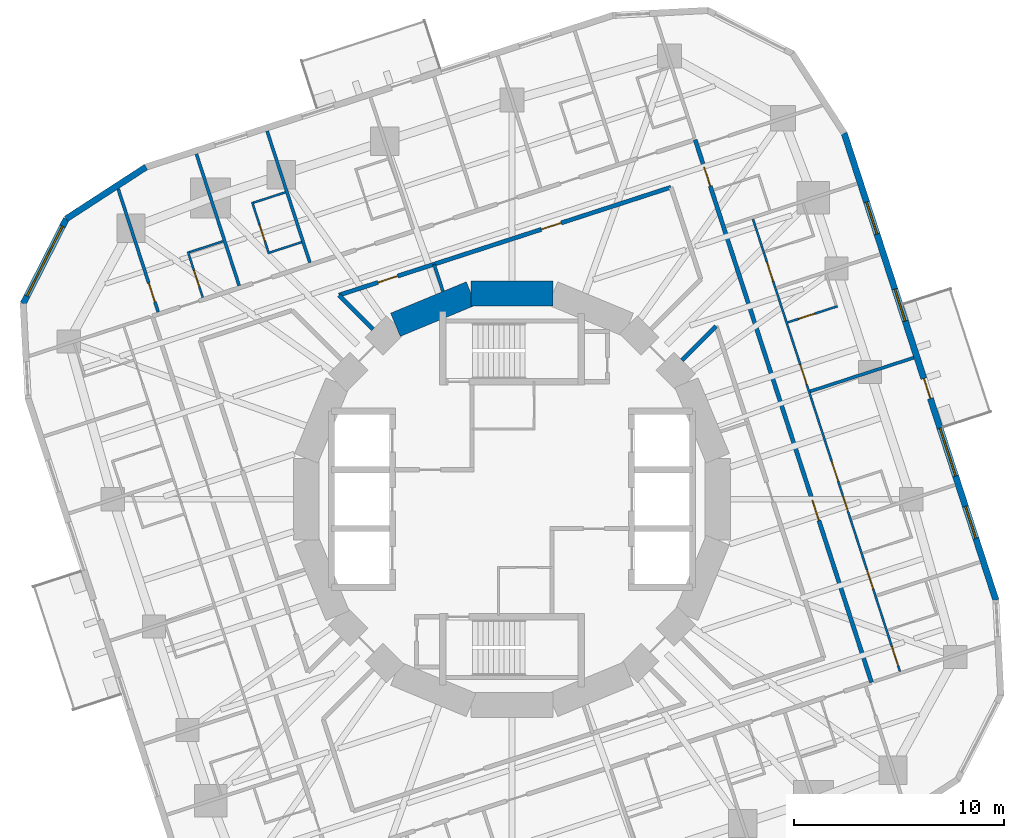
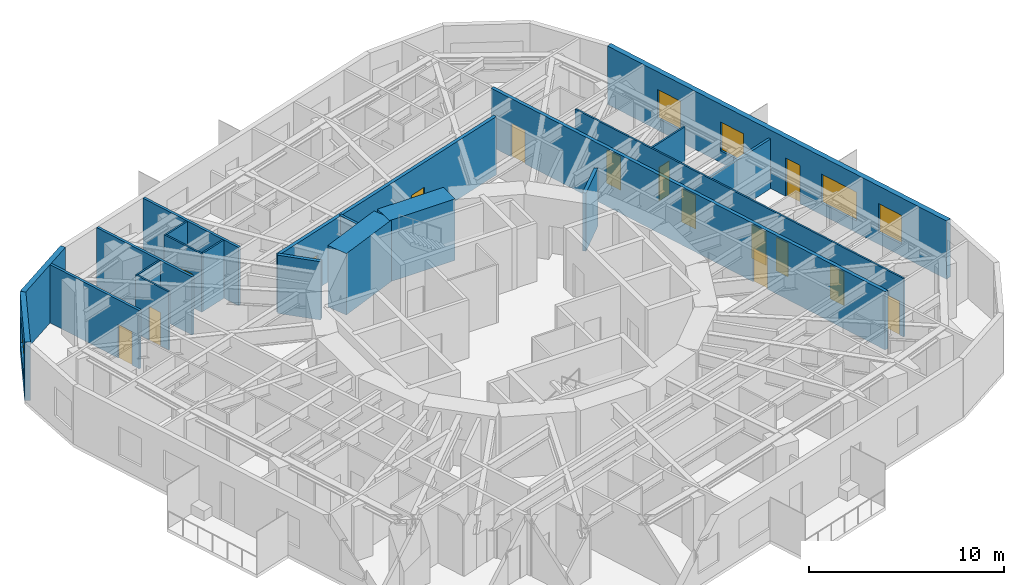
# One storey, part 8 of 12: 21 walls, 15 doors, 5 windows, 20 openings.
"""IFC4 building model written with IfcOpenShell, lengths in metres."""

from ifc_helpers import new_model, si_unit, direction, frame, frame_2d, origin, place, context, subcontext, project, spatial, rectangle, extrude, material, layer, layer_set, type_object, element, fill, save


model = new_model("IFC4")

# Units and contexts
model_context = context("Model", 3, precision=1e-05, world=origin(), true_north=direction((0.0, 1.0)))
body_context = subcontext(model_context, "Body", "Model", "MODEL_VIEW")
ifc_project = project(units=[si_unit("LENGTHUNIT", "METRE"), si_unit("AREAUNIT", "SQUARE_METRE"), si_unit("VOLUMEUNIT", "CUBIC_METRE"), si_unit("PLANEANGLEUNIT", "RADIAN"), si_unit("MASSUNIT", "GRAM", prefix="KILO")], contexts=[model_context])

# Site, building, storey
site_placement = place(None, origin())
site = spatial("IfcSite", under=ifc_project, at=site_placement, CompositionType="ELEMENT")
building_placement = place(site_placement, origin())
building = spatial("IfcBuilding", under=site, at=building_placement, Name="Nakasero Lantern House", CompositionType="ELEMENT")
storey_placement = place(building_placement, frame((0.0, 0.0, 172.60009765625)))
storey = spatial("IfcBuildingStorey", under=building, at=storey_placement, Name="L42", CompositionType="ELEMENT", Elevation=172.60009765625)

# Wall, openings, doors
ifc_material_1 = material(Name="Blockwork", Category="masonry")
ifc_layer_1 = layer(ifc_material_1, 0.10009765625)
ifc_layer_set_1 = layer_set([ifc_layer_1], Name="Cluster hall wall 100")
wall_type_1 = type_object("IfcWallType", Name="Cluster hall wall 100", PredefinedType="PARTITIONING", material=ifc_layer_set_1)
wall_1_placement = place(storey_placement, frame((18.492919921875, -8.21240234375, 0.0), z_axis=(0.0, 0.0, 1.0), x_axis=(-0.309014729931, 0.951057252055, 0.0)))
wall_1 = element("IfcWall", 1, at=wall_1_placement, inside=storey, type_object=wall_type_1, Name="Cluster hall wall L42 HW0-0", PredefinedType="PARTITIONING", context=body_context, shape_type="SweptSolid", body=[
    extrude(rectangle(XDim=22.67236328125, YDim=0.10009765625, at=frame_2d((11.336181640625, 0.0))), origin(), (0.0, 0.0, 1.0), 3.64990234375),
])
opening_1_placement = place(wall_1_placement, frame((9.532958984375, 0.0, 0.0)))
opening_1 = element("IfcOpeningElement", 2, at=opening_1_placement, cuts=wall_1, Name="Opening D03", PredefinedType="OPENING", context=body_context, shape_type="SweptSolid", body=[
    extrude(rectangle(XDim=1.0, YDim=2.10009765625, at=frame_2d((0.5, 1.050048828125))), frame((0.0, 0.070068359375, 0.0), z_axis=(0.0, -1.0, 0.0), x_axis=(1.0, 0.0, 0.0)), (0.0, 0.0, 1.0), 0.14013671875),
])
opening_2_placement = place(wall_1_placement, frame((8.01904296875, 0.0, 0.0)))
opening_2 = element("IfcOpeningElement", 3, at=opening_2_placement, cuts=wall_1, Name="Opening D02", PredefinedType="OPENING", context=body_context, shape_type="SweptSolid", body=[
    extrude(rectangle(XDim=0.800048828125, YDim=2.10009765625, at=frame_2d((0.39990234375, 1.050048828125))), frame((0.0, 0.070068359375, 0.0), z_axis=(0.0, -1.0, 0.0), x_axis=(1.0, 0.0, 0.0)), (0.0, 0.0, 1.0), 0.14013671875),
])
opening_3_placement = place(wall_1_placement, frame((0.300048828125, 0.0, 0.0)))
opening_3 = element("IfcOpeningElement", 4, at=opening_3_placement, cuts=wall_1, Name="Opening D01", PredefinedType="OPENING", context=body_context, shape_type="SweptSolid", body=[
    extrude(rectangle(XDim=0.949951171875, YDim=2.10009765625, at=frame_2d((0.47509765625, 1.050048828125))), frame((0.0, 0.070068359375, 0.0), z_axis=(0.0, -1.0, 0.0), x_axis=(1.0, 0.0, 0.0)), (0.0, 0.0, 1.0), 0.14013671875),
])
opening_4_placement = place(wall_1_placement, frame((4.159423828125, 0.0, 0.0)))
opening_4 = element("IfcOpeningElement", 5, at=opening_4_placement, cuts=wall_1, Name="Opening D01", PredefinedType="OPENING", context=body_context, shape_type="SweptSolid", body=[
    extrude(rectangle(XDim=0.949951171875, YDim=2.10009765625, at=frame_2d((0.47509765625, 1.050048828125))), frame((0.0, 0.070068359375, 0.0), z_axis=(0.0, -1.0, 0.0), x_axis=(1.0, 0.0, 0.0)), (0.0, 0.0, 1.0), 0.14013671875),
])
opening_5_placement = place(wall_1_placement, frame((14.39697265625, 0.0, 0.0)))
opening_5 = element("IfcOpeningElement", 6, at=opening_5_placement, cuts=wall_1, Name="Opening D01", PredefinedType="OPENING", context=body_context, shape_type="SweptSolid", body=[
    extrude(rectangle(XDim=0.949951171875, YDim=2.10009765625, at=frame_2d((0.47509765625, 1.050048828125))), frame((0.0, 0.070068359375, 0.0), z_axis=(0.0, -1.0, 0.0), x_axis=(1.0, 0.0, 0.0)), (0.0, 0.0, 1.0), 0.14013671875),
])
opening_6_placement = place(wall_1_placement, frame((19.578125, 0.0, 0.0)))
opening_6 = element("IfcOpeningElement", 7, at=opening_6_placement, cuts=wall_1, Name="Opening D01", PredefinedType="OPENING", context=body_context, shape_type="SweptSolid", body=[
    extrude(rectangle(XDim=0.949951171875, YDim=2.10009765625, at=frame_2d((0.47509765625, 1.050048828125))), frame((0.0, 0.070068359375, 0.0), z_axis=(0.0, -1.0, 0.0), x_axis=(1.0, 0.0, 0.0)), (0.0, 0.0, 1.0), 0.14013671875),
])
ifc_material_2 = material(Name="Timber C24", Category="wood")
door_type_1 = type_object("IfcDoorType", Name="Bedroom door FD30S 950", OperationType="SINGLE_SWING_LEFT", PredefinedType="DOOR", material=ifc_material_2)
door_1_placement = place(opening_3_placement, origin())
door_1 = element("IfcDoor", 8, at=door_1_placement, inside=storey, type_object=door_type_1, Name="Door L42 D0-00", OperationType="SINGLE_SWING_LEFT", OverallHeight=2.10009765625, OverallWidth=0.949951171875, PredefinedType="DOOR", context=body_context, shape_type="SweptSolid", body=[
    extrude(rectangle(XDim=0.949951171875, YDim=2.10009765625, at=frame_2d((0.47509765625, 1.050048828125))), frame((0.0, 0.02490234375, 0.0), z_axis=(0.0, -1.0, 0.0), x_axis=(1.0, 0.0, 0.0)), (0.0, 0.0, 1.0), 0.050048828125),
])
fill(opening_3, door_1)
door_2_placement = place(opening_4_placement, origin())
door_2 = element("IfcDoor", 9, at=door_2_placement, inside=storey, type_object=door_type_1, Name="Door L42 D0-01", OperationType="SINGLE_SWING_LEFT", OverallHeight=2.10009765625, OverallWidth=0.949951171875, PredefinedType="DOOR", context=body_context, shape_type="SweptSolid", body=[
    extrude(rectangle(XDim=0.949951171875, YDim=2.10009765625, at=frame_2d((0.47509765625, 1.050048828125))), frame((0.0, 0.02490234375, 0.0), z_axis=(0.0, -1.0, 0.0), x_axis=(1.0, 0.0, 0.0)), (0.0, 0.0, 1.0), 0.050048828125),
])
fill(opening_4, door_2)
door_3_placement = place(opening_5_placement, origin())
door_3 = element("IfcDoor", 10, at=door_3_placement, inside=storey, type_object=door_type_1, Name="Door L42 D0-04", OperationType="SINGLE_SWING_RIGHT", OverallHeight=2.10009765625, OverallWidth=0.949951171875, PredefinedType="DOOR", context=body_context, shape_type="SweptSolid", body=[
    extrude(rectangle(XDim=0.949951171875, YDim=2.10009765625, at=frame_2d((0.47509765625, 1.050048828125))), frame((0.0, 0.02490234375, 0.0), z_axis=(0.0, -1.0, 0.0), x_axis=(1.0, 0.0, 0.0)), (0.0, 0.0, 1.0), 0.050048828125),
])
fill(opening_5, door_3)
door_4_placement = place(opening_6_placement, origin())
door_4 = element("IfcDoor", 11, at=door_4_placement, inside=storey, type_object=door_type_1, Name="Door L42 D0-05", OperationType="SINGLE_SWING_RIGHT", OverallHeight=2.10009765625, OverallWidth=0.949951171875, PredefinedType="DOOR", context=body_context, shape_type="SweptSolid", body=[
    extrude(rectangle(XDim=0.949951171875, YDim=2.10009765625, at=frame_2d((0.47509765625, 1.050048828125))), frame((0.0, 0.02490234375, 0.0), z_axis=(0.0, -1.0, 0.0), x_axis=(1.0, 0.0, 0.0)), (0.0, 0.0, 1.0), 0.050048828125),
])
fill(opening_6, door_4)
ifc_material_3 = material(Name="Timber C24", Category="wood")
door_type_2 = type_object("IfcDoorType", Name="En-suite door 800", OperationType="SINGLE_SWING_RIGHT", PredefinedType="DOOR", material=ifc_material_3)
door_5_placement = place(opening_2_placement, origin())
door_5 = element("IfcDoor", 12, at=door_5_placement, inside=storey, type_object=door_type_2, Name="Door L42 DSH0-0", OperationType="SINGLE_SWING_LEFT", OverallHeight=2.10009765625, OverallWidth=0.800048828125, PredefinedType="DOOR", context=body_context, shape_type="SweptSolid", body=[
    extrude(rectangle(XDim=0.800048828125, YDim=2.10009765625, at=frame_2d((0.39990234375, 1.050048828125))), frame((0.0, 0.02490234375, 0.0), z_axis=(0.0, -1.0, 0.0), x_axis=(1.0, 0.0, 0.0)), (0.0, 0.0, 1.0), 0.050048828125),
])
fill(opening_2, door_5)
ifc_material_4 = material(Name="Timber C24", Category="wood")
door_type_3 = type_object("IfcDoorType", Name="Lounge door FD30S 1000", OperationType="SINGLE_SWING_LEFT", PredefinedType="DOOR", material=ifc_material_4)
door_6_placement = place(opening_1_placement, origin())
door_6 = element("IfcDoor", 13, at=door_6_placement, inside=storey, type_object=door_type_3, Name="Door L42 DH0-0", OperationType="SINGLE_SWING_LEFT", OverallHeight=2.10009765625, OverallWidth=1.0, PredefinedType="DOOR", context=body_context, shape_type="SweptSolid", body=[
    extrude(rectangle(XDim=1.0, YDim=2.10009765625, at=frame_2d((0.5, 1.050048828125))), frame((0.0, 0.02490234375, 0.0), z_axis=(0.0, -1.0, 0.0), x_axis=(1.0, 0.0, 0.0)), (0.0, 0.0, 1.0), 0.050048828125),
])
fill(opening_1, door_6)

# Walls
ifc_material_5 = material(Name="Concrete C50/60", Category="concrete")
ifc_layer_2 = layer(ifc_material_5, 1.199951171875)
ifc_layer_set_2 = layer_set([ifc_layer_2], Name="Core wall 1200")
wall_type_2 = type_object("IfcWallType", Name="Core wall 1200", PredefinedType="SHEAR", material=ifc_layer_set_2)
for number, where, z_axis, x_axis, name in (
    (14, (1.950927734375, 9.807861328125, 0.0), (0.0, 0.0, 1.0), (-1.0, 0.0, 0.0), "Core wall L42 facet 4"),
    (15, (-1.950927734375, 9.807861328125, 0.0), (0.0, 0.0, 1.0), (-0.923876507187, -0.382690736062, 0.0), "Core wall L42 facet 5"),
):
    element("IfcWall", number, at=place(storey_placement, frame(where, z_axis=z_axis, x_axis=x_axis)), inside=storey, type_object=wall_type_2, Name=name, PredefinedType="SHEAR", context=body_context, shape_type="SweptSolid", body=[
        extrude(rectangle(XDim=3.90185546875, YDim=1.199951171875, at=frame_2d((1.950927734375, 0.0))), origin(), (0.0, 0.0, 1.0), 3.849853515625),
    ])

# Wall, openings, doors
ifc_material_6 = material(Name="Blockwork", Category="masonry")
ifc_layer_3 = layer(ifc_material_6, 0.199951171875)
ifc_layer_set_3 = layer_set([ifc_layer_3], Name="Corridor wall 200")
wall_type_3 = type_object("IfcWallType", Name="Corridor wall 200", PredefinedType="PARTITIONING", material=ifc_layer_set_3)
wall_2_placement = place(storey_placement, frame((17.136962890625, -8.731689453125, 0.0), z_axis=(0.0, 0.0, 1.0), x_axis=(-0.309018283835, 0.951056097323, 0.0)))
wall_2 = element("IfcWall", 16, at=wall_2_placement, inside=storey, type_object=wall_type_3, Name="Corridor wall L42 CW0", PredefinedType="PARTITIONING", context=body_context, shape_type="SweptSolid", body=[
    extrude(rectangle(XDim=27.199951171875, YDim=0.199951171875, at=frame_2d((13.60009765625, 0.0))), origin(), (0.0, 0.0, 1.0), 3.64990234375),
])
opening_7_placement = place(wall_2_placement, frame((8.118896484375, 0.0, 0.0)))
opening_7 = element("IfcOpeningElement", 17, at=opening_7_placement, cuts=wall_2, Name="Opening D14", PredefinedType="OPENING", context=body_context, shape_type="SweptSolid", body=[
    extrude(rectangle(XDim=1.0, YDim=2.10009765625, at=frame_2d((0.5, 1.050048828125))), frame((0.0, 0.119873046875, 0.0), z_axis=(0.0, -1.0, 0.0), x_axis=(1.0, 0.0, 0.0)), (0.0, 0.0, 1.0), 0.239990234375),
])
opening_8_placement = place(wall_2_placement, frame((24.872314453125, 0.0, 0.0)))
opening_8 = element("IfcOpeningElement", 18, at=opening_8_placement, cuts=wall_2, Name="Opening D01", PredefinedType="OPENING", context=body_context, shape_type="SweptSolid", body=[
    extrude(rectangle(XDim=0.949951171875, YDim=2.10009765625, at=frame_2d((0.47509765625, 1.050048828125))), frame((0.0, 0.119873046875, 0.0), z_axis=(0.0, -1.0, 0.0), x_axis=(1.0, 0.0, 0.0)), (0.0, 0.0, 1.0), 0.239990234375),
])
door_7_placement = place(opening_8_placement, origin())
door_7 = element("IfcDoor", 19, at=door_7_placement, inside=storey, type_object=door_type_1, Name="Door L42 D0-06", OperationType="SINGLE_SWING_RIGHT", OverallHeight=2.10009765625, OverallWidth=0.949951171875, PredefinedType="DOOR", context=body_context, shape_type="SweptSolid", body=[
    extrude(rectangle(XDim=0.949951171875, YDim=2.10009765625, at=frame_2d((0.47509765625, 1.050048828125))), frame((0.0, 0.02490234375, 0.0), z_axis=(0.0, -1.0, 0.0), x_axis=(1.0, 0.0, 0.0)), (0.0, 0.0, 1.0), 0.050048828125),
])
fill(opening_8, door_7)
ifc_material_7 = material(Name="Timber C24", Category="wood")
door_type_4 = type_object("IfcDoorType", Name="Cluster entrance door FD30S 1000", OperationType="SINGLE_SWING_LEFT", PredefinedType="DOOR", material=ifc_material_7)
door_8_placement = place(opening_7_placement, origin())
door_8 = element("IfcDoor", 20, at=door_8_placement, inside=storey, type_object=door_type_4, Name="Door L42 DF0-0", OperationType="SINGLE_SWING_LEFT", OverallHeight=2.10009765625, OverallWidth=1.0, PredefinedType="DOOR", context=body_context, shape_type="SweptSolid", body=[
    extrude(rectangle(XDim=1.0, YDim=2.10009765625, at=frame_2d((0.5, 1.050048828125))), frame((0.0, 0.02490234375, 0.0), z_axis=(0.0, -1.0, 0.0), x_axis=(1.0, 0.0, 0.0)), (0.0, 0.0, 1.0), 0.050048828125),
])
fill(opening_7, door_8)

wall_3_placement = place(storey_placement, frame((7.576171875, 14.868896484375, 0.0), z_axis=(0.0, 0.0, 1.0), x_axis=(-0.951057148125, -0.309015049795, 0.0)))
wall_3 = element("IfcWall", 21, at=wall_3_placement, inside=storey, type_object=wall_type_3, Name="Corridor wall L42 IW1-0", PredefinedType="PARTITIONING", context=body_context, shape_type="SweptSolid", body=[
    extrude(rectangle(XDim=16.634033203125, YDim=0.199951171875, at=frame_2d((8.31689453125, 0.0))), origin(), (0.0, 0.0, 1.0), 3.64990234375),
])
opening_9_placement = place(wall_3_placement, frame((5.49755859375, 0.0, 0.0)))
opening_9 = element("IfcOpeningElement", 22, at=opening_9_placement, cuts=wall_3, Name="Opening D07", PredefinedType="OPENING", context=body_context, shape_type="SweptSolid", body=[
    extrude(rectangle(XDim=1.0, YDim=2.10009765625, at=frame_2d((0.5, 1.050048828125))), frame((0.0, 0.119873046875, 0.0), z_axis=(0.0, -1.0, 0.0), x_axis=(1.0, 0.0, 0.0)), (0.0, 0.0, 1.0), 0.239990234375),
])
opening_10_placement = place(wall_3_placement, frame((13.689453125, 0.0, 0.0)))
opening_10 = element("IfcOpeningElement", 23, at=opening_10_placement, cuts=wall_3, Name="Opening D07", PredefinedType="OPENING", context=body_context, shape_type="SweptSolid", body=[
    extrude(rectangle(XDim=1.0, YDim=2.10009765625, at=frame_2d((0.5, 1.050048828125))), frame((0.0, 0.119873046875, 0.0), z_axis=(0.0, -1.0, 0.0), x_axis=(1.0, 0.0, 0.0)), (0.0, 0.0, 1.0), 0.239990234375),
])
ifc_material_8 = material(Name="Timber C24", Category="wood")
door_type_5 = type_object("IfcDoorType", Name="Room door FD30S 1000", OperationType="SINGLE_SWING_LEFT", PredefinedType="DOOR", material=ifc_material_8)
door_9_placement = place(opening_9_placement, origin())
door_9 = element("IfcDoor", 24, at=door_9_placement, inside=storey, type_object=door_type_5, Name="Door L42 DI5", OperationType="SINGLE_SWING_LEFT", OverallHeight=2.10009765625, OverallWidth=1.0, PredefinedType="DOOR", context=body_context, shape_type="SweptSolid", body=[
    extrude(rectangle(XDim=1.0, YDim=2.10009765625, at=frame_2d((0.5, 1.050048828125))), frame((0.0, 0.02490234375, 0.0), z_axis=(0.0, -1.0, 0.0), x_axis=(1.0, 0.0, 0.0)), (0.0, 0.0, 1.0), 0.050048828125),
])
fill(opening_9, door_9)
door_10_placement = place(opening_10_placement, origin())
door_10 = element("IfcDoor", 25, at=door_10_placement, inside=storey, type_object=door_type_5, Name="Door L42 DI6", OperationType="SINGLE_SWING_RIGHT", OverallHeight=2.10009765625, OverallWidth=1.0, PredefinedType="DOOR", context=body_context, shape_type="SweptSolid", body=[
    extrude(rectangle(XDim=1.0, YDim=2.10009765625, at=frame_2d((0.5, 1.050048828125))), frame((0.0, 0.02490234375, 0.0), z_axis=(0.0, -1.0, 0.0), x_axis=(1.0, 0.0, 0.0)), (0.0, 0.0, 1.0), 0.050048828125),
])
fill(opening_10, door_10)

# Walls
for number, where, z_axis, x_axis, name in (
    (26, (8.101806640625, 6.616943359375, 0.0), (0.0, 0.0, 1.0), (0.707159837407, 0.707053720985, 0.0), "Corridor wall L42 PS02b"),
    (27, (-6.616943359375, 8.101806640625, 0.0), (0.0, 0.0, 1.0), (-0.707053720985, 0.707159837407, 0.0), "Corridor wall L42 PS06b"),
):
    element("IfcWall", number, at=place(storey_placement, frame(where, z_axis=z_axis, x_axis=x_axis)), inside=storey, type_object=wall_type_3, Name=name, PredefinedType="PARTITIONING", context=body_context, shape_type="SweptSolid", body=[
        extrude(rectangle(XDim=2.30078125, YDim=0.199951171875, at=frame_2d((1.150390625, 0.0))), origin(), (0.0, 0.0, 1.0), 3.64990234375),
    ])

# Wall, opening, door
ifc_material_9 = material(Name="Blockwork", Category="masonry")
ifc_layer_4 = layer(ifc_material_9, 0.10009765625)
ifc_layer_set_4 = layer_set([ifc_layer_4], Name="En-suite wall 100")
wall_type_4 = type_object("IfcWallType", Name="En-suite wall 100", PredefinedType="PARTITIONING", material=ifc_layer_set_4)
wall_4_placement = place(storey_placement, frame((13.139404296875, 8.42578125, 0.0), z_axis=(0.0, 0.0, 1.0), x_axis=(0.951067792613, 0.308982287281, 0.0)))
wall_4 = element("IfcWall", 28, at=wall_4_placement, inside=storey, type_object=wall_type_4, Name="En-suite wall L42 ES0-04", PredefinedType="PARTITIONING", context=body_context, shape_type="SweptSolid", body=[
    extrude(rectangle(XDim=2.5, YDim=0.10009765625, at=frame_2d((1.25, 0.0))), origin(), (0.0, 0.0, 1.0), 3.64990234375),
])
opening_11_placement = place(wall_4_placement, frame((0.550048828125, 0.0, 0.0)))
opening_11 = element("IfcOpeningElement", 29, at=opening_11_placement, cuts=wall_4, Name="Opening D02", PredefinedType="OPENING", context=body_context, shape_type="SweptSolid", body=[
    extrude(rectangle(XDim=0.800048828125, YDim=2.10009765625, at=frame_2d((0.39990234375, 1.050048828125))), frame((0.0, 0.070068359375, 0.0), z_axis=(0.0, -1.0, 0.0), x_axis=(1.0, 0.0, 0.0)), (0.0, 0.0, 1.0), 0.14013671875),
])
door_11_placement = place(opening_11_placement, origin())
door_11 = element("IfcDoor", 30, at=door_11_placement, inside=storey, type_object=door_type_2, Name="Door L42 DE0-04", OperationType="SINGLE_SWING_LEFT", OverallHeight=2.10009765625, OverallWidth=0.800048828125, PredefinedType="DOOR", context=body_context, shape_type="SweptSolid", body=[
    extrude(rectangle(XDim=0.800048828125, YDim=2.10009765625, at=frame_2d((0.39990234375, 1.050048828125))), frame((0.0, 0.02490234375, 0.0), z_axis=(0.0, -1.0, 0.0), x_axis=(1.0, 0.0, 0.0)), (0.0, 0.0, 1.0), 0.050048828125),
])
fill(opening_11, door_11)

wall_5_placement = place(storey_placement, frame((-11.583251953125, 11.69287109375, 0.0), z_axis=(0.0, 0.0, 1.0), x_axis=(-0.309035112607, 0.951050629134, 0.0)))
wall_5 = element("IfcWall", 31, at=wall_5_placement, inside=storey, type_object=wall_type_4, Name="En-suite wall L42 ES1-05", PredefinedType="PARTITIONING", context=body_context, shape_type="SweptSolid", body=[
    extrude(rectangle(XDim=2.599853515625, YDim=0.10009765625, at=frame_2d((1.2998046875, 0.0))), origin(), (0.0, 0.0, 1.0), 3.64990234375),
])
opening_12_placement = place(wall_5_placement, frame((0.64990234375, 0.0, 0.0)))
opening_12 = element("IfcOpeningElement", 32, at=opening_12_placement, cuts=wall_5, Name="Opening D02", PredefinedType="OPENING", context=body_context, shape_type="SweptSolid", body=[
    extrude(rectangle(XDim=0.800048828125, YDim=2.10009765625, at=frame_2d((0.39990234375, 1.050048828125))), frame((0.0, 0.070068359375, 0.0), z_axis=(0.0, -1.0, 0.0), x_axis=(1.0, 0.0, 0.0)), (0.0, 0.0, 1.0), 0.14013671875),
])
door_12_placement = place(opening_12_placement, origin())
door_12 = element("IfcDoor", 33, at=door_12_placement, inside=storey, type_object=door_type_2, Name="Door L42 DE1-05", OperationType="SINGLE_SWING_LEFT", OverallHeight=2.10009765625, OverallWidth=0.800048828125, PredefinedType="DOOR", context=body_context, shape_type="SweptSolid", body=[
    extrude(rectangle(XDim=0.800048828125, YDim=2.10009765625, at=frame_2d((0.39990234375, 1.050048828125))), frame((0.0, 0.02490234375, 0.0), z_axis=(0.0, -1.0, 0.0), x_axis=(1.0, 0.0, 0.0)), (0.0, 0.0, 1.0), 0.050048828125),
])
fill(opening_12, door_12)

# Walls
for number, where, z_axis, x_axis, name in (
    (34, (-10.802001953125, 14.6279296875, 0.0), (0.0, 0.0, 1.0), (-0.951066581729, -0.308986014439, 0.0), "En-suite wall L42 EE1-05"),
    (35, (-10.029541015625, 12.250244140625, 0.0), (0.0, 0.0, 1.0), (-0.951066581729, -0.308986014439, 0.0), "En-suite wall L42 EI1-05"),
):
    element("IfcWall", number, at=place(storey_placement, frame(where, z_axis=z_axis, x_axis=x_axis)), inside=storey, type_object=wall_type_4, Name=name, PredefinedType="PARTITIONING", context=body_context, shape_type="SweptSolid", body=[
        extrude(rectangle(XDim=1.60009765625, YDim=0.10009765625, at=frame_2d((0.800048828125, 0.0))), origin(), (0.0, 0.0, 1.0), 3.64990234375),
    ])

# Wall, opening, door
wall_6_placement = place(storey_placement, frame((-14.740234375, 9.61572265625, 0.0), z_axis=(0.0, 0.0, 1.0), x_axis=(-0.309021261611, 0.951055129775, 0.0)))
wall_6 = element("IfcWall", 36, at=wall_6_placement, inside=storey, type_object=wall_type_4, Name="En-suite wall L42 ES1-06", PredefinedType="PARTITIONING", context=body_context, shape_type="SweptSolid", body=[
    extrude(rectangle(XDim=2.2998046875, YDim=0.10009765625, at=frame_2d((1.14990234375, 0.0))), origin(), (0.0, 0.0, 1.0), 3.64990234375),
])
opening_13_placement = place(wall_6_placement, frame((0.550048828125, 0.0, 0.0)))
opening_13 = element("IfcOpeningElement", 37, at=opening_13_placement, cuts=wall_6, Name="Opening D02", PredefinedType="OPENING", context=body_context, shape_type="SweptSolid", body=[
    extrude(rectangle(XDim=0.800048828125, YDim=2.10009765625, at=frame_2d((0.39990234375, 1.050048828125))), frame((0.0, 0.070068359375, 0.0), z_axis=(0.0, -1.0, 0.0), x_axis=(1.0, 0.0, 0.0)), (0.0, 0.0, 1.0), 0.14013671875),
])
door_13_placement = place(opening_13_placement, origin())
door_13 = element("IfcDoor", 38, at=door_13_placement, inside=storey, type_object=door_type_2, Name="Door L42 DE1-06", OperationType="SINGLE_SWING_LEFT", OverallHeight=2.10009765625, OverallWidth=0.800048828125, PredefinedType="DOOR", context=body_context, shape_type="SweptSolid", body=[
    extrude(rectangle(XDim=0.800048828125, YDim=2.10009765625, at=frame_2d((0.39990234375, 1.050048828125))), frame((0.0, 0.02490234375, 0.0), z_axis=(0.0, -1.0, 0.0), x_axis=(1.0, 0.0, 0.0)), (0.0, 0.0, 1.0), 0.050048828125),
])
fill(opening_13, door_13)

# Wall
wall_7_placement = place(storey_placement, frame((-13.771240234375, 12.29638671875, 0.0), z_axis=(0.0, 0.0, 1.0), x_axis=(-0.951040401051, -0.309066587596, 0.0)))
element("IfcWall", 39, at=wall_7_placement, inside=storey, type_object=wall_type_4, Name="En-suite wall L42 EE1-06", PredefinedType="PARTITIONING", context=body_context, shape_type="SweptSolid", body=[
    extrude(rectangle(XDim=1.699951171875, YDim=0.10009765625, at=frame_2d((0.85009765625, 0.0))), origin(), (0.0, 0.0, 1.0), 3.64990234375),
])

# Wall, openings, door, windows
ifc_material_10 = material(Name="Aluminium rainscreen on blockwork", Category="masonry")
ifc_layer_5 = layer(ifc_material_10, 0.300048828125)
ifc_layer_set_5 = layer_set([ifc_layer_5], Name="Facade wall 300")
wall_type_5 = type_object("IfcWallType", Name="Facade wall 300", PredefinedType="SOLIDWALL", material=ifc_layer_set_5)
wall_8_placement = place(storey_placement, frame((23.064697265625, -4.807861328125, 0.0), z_axis=(0.0, 0.0, 1.0), x_axis=(-0.30902591324, 0.951053618334, 0.0)))
wall_8 = element("IfcWall", 40, at=wall_8_placement, inside=storey, type_object=wall_type_5, Name="Facade wall L42 FW0S", PredefinedType="SOLIDWALL", context=body_context, shape_type="SweptSolid", body=[
    extrude(rectangle(XDim=23.39990234375, YDim=0.300048828125, at=frame_2d((11.699951171875, 0.0))), origin(), (0.0, 0.0, 1.0), 3.64990234375),
])
opening_14_placement = place(wall_8_placement, frame((3.089111328125, 0.0, 0.75)))
opening_14 = element("IfcOpeningElement", 41, at=opening_14_placement, cuts=wall_8, Name="Opening W01", PredefinedType="OPENING", context=body_context, shape_type="SweptSolid", body=[
    extrude(rectangle(XDim=1.60009765625, YDim=1.800048828125, at=frame_2d((0.800048828125, 0.89990234375))), frame((0.0, 0.169921875, 0.0), z_axis=(0.0, -1.0, 0.0), x_axis=(1.0, 0.0, 0.0)), (0.0, 0.0, 1.0), 0.340087890625),
])
opening_15_placement = place(wall_8_placement, frame((13.987548828125, 0.0, 0.75)))
opening_15 = element("IfcOpeningElement", 42, at=opening_15_placement, cuts=wall_8, Name="Opening W01", PredefinedType="OPENING", context=body_context, shape_type="SweptSolid", body=[
    extrude(rectangle(XDim=1.60009765625, YDim=1.800048828125, at=frame_2d((0.800048828125, 0.89990234375))), frame((0.0, 0.169921875, 0.0), z_axis=(0.0, -1.0, 0.0), x_axis=(1.0, 0.0, 0.0)), (0.0, 0.0, 1.0), 0.340087890625),
])
opening_16_placement = place(wall_8_placement, frame((18.350341796875, 0.0, 0.75)))
opening_16 = element("IfcOpeningElement", 43, at=opening_16_placement, cuts=wall_8, Name="Opening W01", PredefinedType="OPENING", context=body_context, shape_type="SweptSolid", body=[
    extrude(rectangle(XDim=1.60009765625, YDim=1.800048828125, at=frame_2d((0.800048828125, 0.89990234375))), frame((0.0, 0.169921875, 0.0), z_axis=(0.0, -1.0, 0.0), x_axis=(1.0, 0.0, 0.0)), (0.0, 0.0, 1.0), 0.340087890625),
])
opening_17_placement = place(wall_8_placement, frame((6.21337890625, 0.0, 0.75)))
opening_17 = element("IfcOpeningElement", 44, at=opening_17_placement, cuts=wall_8, Name="Opening W03", PredefinedType="OPENING", context=body_context, shape_type="SweptSolid", body=[
    extrude(rectangle(XDim=2.39990234375, YDim=1.800048828125, at=frame_2d((1.199951171875, 0.89990234375))), frame((0.0, 0.169921875, 0.0), z_axis=(0.0, -1.0, 0.0), x_axis=(1.0, 0.0, 0.0)), (0.0, 0.0, 1.0), 0.340087890625),
])
opening_18_placement = place(wall_8_placement, frame((10.1025390625, 0.0, 0.0)))
opening_18 = element("IfcOpeningElement", 45, at=opening_18_placement, cuts=wall_8, Name="Opening D04", PredefinedType="OPENING", context=body_context, shape_type="SweptSolid", body=[
    extrude(rectangle(XDim=1.0, YDim=2.39990234375, at=frame_2d((0.5, 1.199951171875))), frame((0.0, 0.169921875, 0.0), z_axis=(0.0, -1.0, 0.0), x_axis=(1.0, 0.0, 0.0)), (0.0, 0.0, 1.0), 0.340087890625),
])
ifc_material_11 = material(Name="Aluminium 6063-T6 and glass", Category="aluminium")
door_type_6 = type_object("IfcDoorType", Name="Balcony door 1000x2400", OperationType="SINGLE_SWING_RIGHT", PredefinedType="DOOR", material=ifc_material_11)
door_14_placement = place(opening_18_placement, origin())
door_14 = element("IfcDoor", 46, at=door_14_placement, inside=storey, type_object=door_type_6, Name="Balcony door L42 DB0", OperationType="SINGLE_SWING_RIGHT", OverallHeight=2.39990234375, OverallWidth=1.0, PredefinedType="DOOR", context=body_context, shape_type="SweptSolid", body=[
    extrude(rectangle(XDim=1.0, YDim=2.39990234375, at=frame_2d((0.5, 1.199951171875))), frame((0.0, 0.02490234375, 0.0), z_axis=(0.0, -1.0, 0.0), x_axis=(1.0, 0.0, 0.0)), (0.0, 0.0, 1.0), 0.050048828125),
])
fill(opening_18, door_14)
ifc_material_12 = material(Name="Aluminium 6063-T6 and glass", Category="aluminium")
window_type_1 = type_object("IfcWindowType", Name="Bedroom window 1600x1800", PartitioningType="SINGLE_PANEL", PredefinedType="WINDOW", material=ifc_material_12)
window_1_placement = place(opening_14_placement, origin())
window_1 = element("IfcWindow", 47, at=window_1_placement, inside=storey, type_object=window_type_1, Name="Window L42 WN0-01", OverallHeight=1.800048828125, OverallWidth=1.60009765625, PartitioningType="SINGLE_PANEL", PredefinedType="WINDOW", context=body_context, shape_type="SweptSolid", body=[
    extrude(rectangle(XDim=1.60009765625, YDim=1.800048828125, at=frame_2d((0.800048828125, 0.89990234375))), frame((0.0, 0.030029296875, 0.0), z_axis=(0.0, -1.0, 0.0), x_axis=(1.0, 0.0, 0.0)), (0.0, 0.0, 1.0), 0.06005859375),
])
fill(opening_14, window_1)
window_2_placement = place(opening_15_placement, origin())
window_2 = element("IfcWindow", 48, at=window_2_placement, inside=storey, type_object=window_type_1, Name="Window L42 WN0-04", OverallHeight=1.800048828125, OverallWidth=1.60009765625, PartitioningType="SINGLE_PANEL", PredefinedType="WINDOW", context=body_context, shape_type="SweptSolid", body=[
    extrude(rectangle(XDim=1.60009765625, YDim=1.800048828125, at=frame_2d((0.800048828125, 0.89990234375))), frame((0.0, 0.030029296875, 0.0), z_axis=(0.0, -1.0, 0.0), x_axis=(1.0, 0.0, 0.0)), (0.0, 0.0, 1.0), 0.06005859375),
])
fill(opening_15, window_2)
window_3_placement = place(opening_16_placement, origin())
window_3 = element("IfcWindow", 49, at=window_3_placement, inside=storey, type_object=window_type_1, Name="Window L42 WN0-05", OverallHeight=1.800048828125, OverallWidth=1.60009765625, PartitioningType="SINGLE_PANEL", PredefinedType="WINDOW", context=body_context, shape_type="SweptSolid", body=[
    extrude(rectangle(XDim=1.60009765625, YDim=1.800048828125, at=frame_2d((0.800048828125, 0.89990234375))), frame((0.0, 0.030029296875, 0.0), z_axis=(0.0, -1.0, 0.0), x_axis=(1.0, 0.0, 0.0)), (0.0, 0.0, 1.0), 0.06005859375),
])
fill(opening_16, window_3)
ifc_material_13 = material(Name="Aluminium 6063-T6 and glass", Category="aluminium")
window_type_2 = type_object("IfcWindowType", Name="Lounge window 2400x1800", PartitioningType="SINGLE_PANEL", PredefinedType="WINDOW", material=ifc_material_13)
window_4_placement = place(opening_17_placement, origin())
window_4 = element("IfcWindow", 50, at=window_4_placement, inside=storey, type_object=window_type_2, Name="Window L42 WK0", OverallHeight=1.800048828125, OverallWidth=2.39990234375, PartitioningType="SINGLE_PANEL", PredefinedType="WINDOW", context=body_context, shape_type="SweptSolid", body=[
    extrude(rectangle(XDim=2.39990234375, YDim=1.800048828125, at=frame_2d((1.199951171875, 0.89990234375))), frame((0.0, 0.030029296875, 0.0), z_axis=(0.0, -1.0, 0.0), x_axis=(1.0, 0.0, 0.0)), (0.0, 0.0, 1.0), 0.06005859375),
])
fill(opening_17, window_4)

# Wall
wall_9_placement = place(storey_placement, frame((-17.44677734375, 15.83349609375, 0.0), z_axis=(0.0, 0.0, 1.0), x_axis=(-0.838673836229, -0.544634002266, 0.0)))
element("IfcWall", 51, at=wall_9_placement, inside=storey, type_object=wall_type_5, Name="Facade wall L42 FW1C1", PredefinedType="SOLIDWALL", context=body_context, shape_type="SweptSolid", body=[
    extrude(rectangle(XDim=4.529296875, YDim=0.300048828125, at=frame_2d((2.2646484375, 0.0))), origin(), (0.0, 0.0, 1.0), 3.64990234375),
])

# Wall, opening, window
wall_10_placement = place(storey_placement, frame((-21.245361328125, 13.36669921875, 0.0), z_axis=(0.0, 0.0, 1.0), x_axis=(-0.454013792196, -0.890994655705, 0.0)))
wall_10 = element("IfcWall", 52, at=wall_10_placement, inside=storey, type_object=wall_type_5, Name="Facade wall L42 FW1C2", PredefinedType="SOLIDWALL", context=body_context, shape_type="SweptSolid", body=[
    extrude(rectangle(XDim=4.529296875, YDim=0.300048828125, at=frame_2d((2.2646484375, 0.0))), origin(), (0.0, 0.0, 1.0), 3.64990234375),
])
opening_19_placement = place(wall_10_placement, frame((0.39990234375, 0.0, 0.75)))
opening_19 = element("IfcOpeningElement", 53, at=opening_19_placement, cuts=wall_10, Name="Opening W237A", PredefinedType="OPENING", context=body_context, shape_type="SweptSolid", body=[
    extrude(rectangle(XDim=3.72900390625, YDim=1.800048828125, at=frame_2d((1.864501953125, 0.89990234375))), frame((0.0, 0.169921875, 0.0), z_axis=(0.0, -1.0, 0.0), x_axis=(1.0, 0.0, 0.0)), (0.0, 0.0, 1.0), 0.340087890625),
])
ifc_material_14 = material(Name="Aluminium 6063-T6 and glass", Category="aluminium")
window_type_3 = type_object("IfcWindowType", Name="Corner window 3729x1800", PartitioningType="SINGLE_PANEL", PredefinedType="WINDOW", material=ifc_material_14)
window_5_placement = place(opening_19_placement, origin())
window_5 = element("IfcWindow", 54, at=window_5_placement, inside=storey, type_object=window_type_3, Name="Window L42 WC1", OverallHeight=1.800048828125, OverallWidth=3.72900390625, PartitioningType="SINGLE_PANEL", PredefinedType="WINDOW", context=body_context, shape_type="SweptSolid", body=[
    extrude(rectangle(XDim=3.72900390625, YDim=1.800048828125, at=frame_2d((1.864501953125, 0.89990234375))), frame((0.0, 0.030029296875, 0.0), z_axis=(0.0, -1.0, 0.0), x_axis=(1.0, 0.0, 0.0)), (0.0, 0.0, 1.0), 0.06005859375),
])
fill(opening_19, window_5)

# Walls
ifc_material_15 = material(Name="Blockwork", Category="masonry")
ifc_layer_6 = layer(ifc_material_15, 0.14990234375)
ifc_layer_set_6 = layer_set([ifc_layer_6], Name="Party wall 150")
wall_type_6 = type_object("IfcWallType", Name="Party wall 150", PredefinedType="PARTITIONING", material=ifc_layer_set_6)
wall_11_placement = place(storey_placement, frame((14.207275390625, 5.138916015625, 0.0), z_axis=(0.0, 0.0, 1.0), x_axis=(0.951055112834, 0.309021313752, 0.0)))
element("IfcWall", 55, at=wall_11_placement, inside=storey, type_object=wall_type_6, Name="Party wall L42 PW0-04", PredefinedType="PARTITIONING", context=body_context, shape_type="SweptSolid", body=[
    extrude(rectangle(XDim=5.2001953125, YDim=0.14990234375, at=frame_2d((2.60009765625, 0.0))), origin(), (0.0, 0.0, 1.0), 3.11328125),
])
for number, where, z_axis, x_axis, name in (
    (56, (-9.6337890625, 11.27490234375, 0.0), (0.0, 0.0, 1.0), (-0.309027520945, 0.951053095941, 0.0), "Party wall L42 PW1-05"),
    (57, (-13.004638671875, 10.1796875, 0.0), (0.0, 0.0, 1.0), (-0.309027520945, 0.951053095941, 0.0), "Party wall L42 PW1-06"),
):
    element("IfcWall", number, at=place(storey_placement, frame(where, z_axis=z_axis, x_axis=x_axis)), inside=storey, type_object=wall_type_6, Name=name, PredefinedType="PARTITIONING", context=body_context, shape_type="SweptSolid", body=[
        extrude(rectangle(XDim=6.599853515625, YDim=0.14990234375, at=frame_2d((3.2998046875, 0.0))), origin(), (0.0, 0.0, 1.0), 3.64990234375),
    ])

# Wall, opening, door
wall_12_placement = place(storey_placement, frame((-16.8662109375, 8.9248046875, 0.0), z_axis=(0.0, 0.0, 1.0), x_axis=(-0.309031452366, 0.951051818488, 0.0)))
wall_12 = element("IfcWall", 58, at=wall_12_placement, inside=storey, type_object=wall_type_6, Name="Party wall L42 PC1", PredefinedType="PARTITIONING", context=body_context, shape_type="SweptSolid", body=[
    extrude(rectangle(XDim=6.165283203125, YDim=0.14990234375, at=frame_2d((3.08251953125, 0.0))), origin(), (0.0, 0.0, 1.0), 3.64990234375),
])
opening_20_placement = place(wall_12_placement, frame((0.5, 0.0, 0.0)))
opening_20 = element("IfcOpeningElement", 59, at=opening_20_placement, cuts=wall_12, Name="Opening D01", PredefinedType="OPENING", context=body_context, shape_type="SweptSolid", body=[
    extrude(rectangle(XDim=0.949951171875, YDim=2.10009765625, at=frame_2d((0.47509765625, 1.050048828125))), frame((0.0, 0.094970703125, 0.0), z_axis=(0.0, -1.0, 0.0), x_axis=(1.0, 0.0, 0.0)), (0.0, 0.0, 1.0), 0.18994140625),
])
door_15_placement = place(opening_20_placement, origin())
door_15 = element("IfcDoor", 60, at=door_15_placement, inside=storey, type_object=door_type_1, Name="Door L42 DC1", OperationType="SINGLE_SWING_LEFT", OverallHeight=2.10009765625, OverallWidth=0.949951171875, PredefinedType="DOOR", context=body_context, shape_type="SweptSolid", body=[
    extrude(rectangle(XDim=0.949951171875, YDim=2.10009765625, at=frame_2d((0.47509765625, 1.050048828125))), frame((0.0, 0.02490234375, 0.0), z_axis=(0.0, -1.0, 0.0), x_axis=(1.0, 0.0, 0.0)), (0.0, 0.0, 1.0), 0.050048828125),
])
fill(opening_20, door_15)

# Wall
wall_13_placement = place(storey_placement, frame((-3.712890625, 11.200927734375, 0.0), z_axis=(0.0, 0.0, 1.0), x_axis=(0.308924371384, -0.951086606343, 0.0)))
element("IfcWall", 61, at=wall_13_placement, inside=storey, type_object=wall_type_6, Name="Party wall L42 IM1", PredefinedType="PARTITIONING", context=body_context, shape_type="SweptSolid", body=[
    extrude(rectangle(XDim=1.36572265625, YDim=0.14990234375, at=frame_2d((0.682861328125, 0.0))), origin(), (0.0, 0.0, 1.0), 3.64990234375),
])

save(model, "model.ifc")
